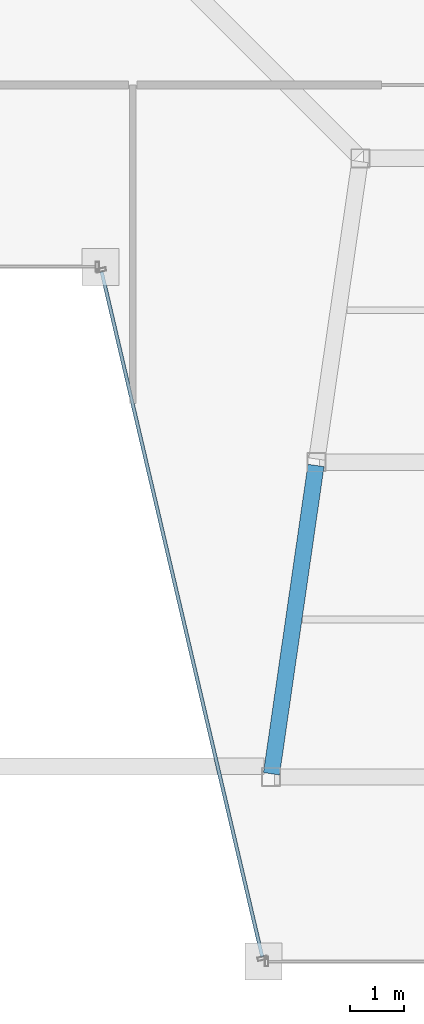
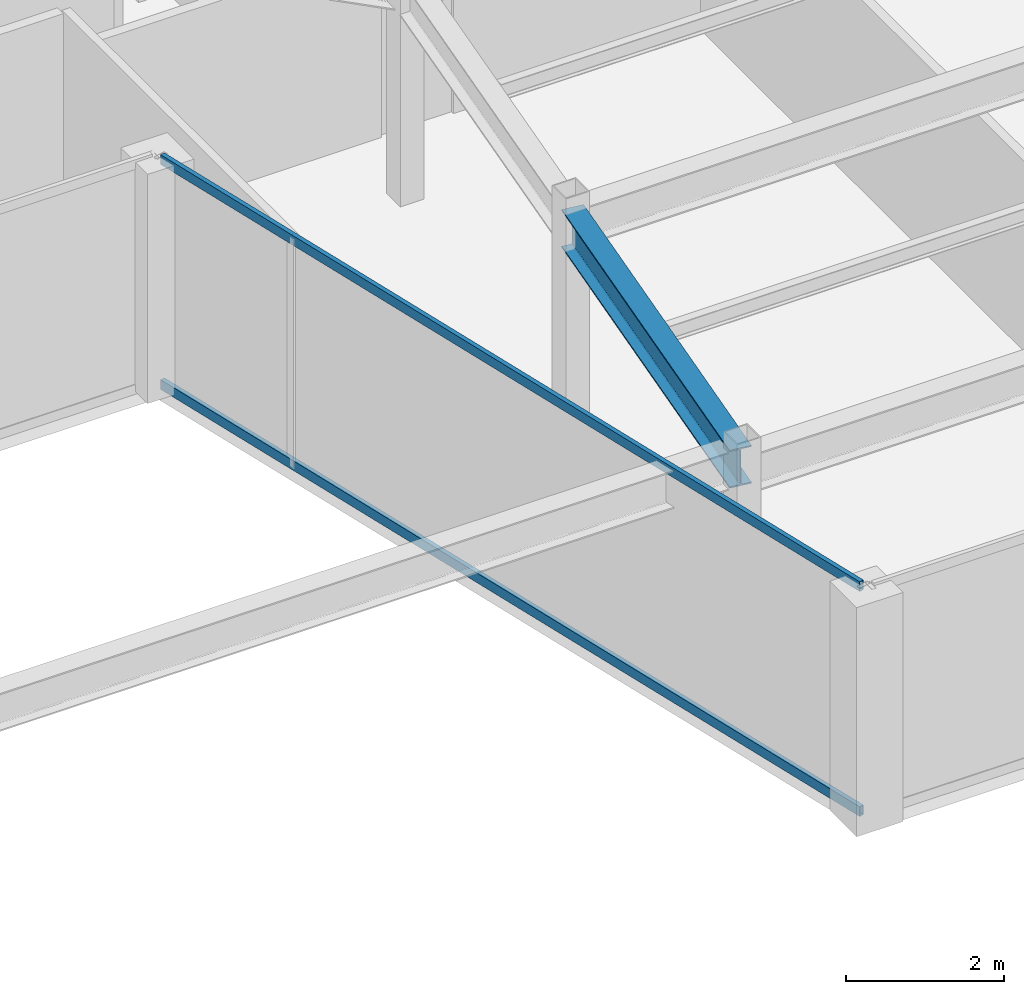
# One storey, part 13 of 32: 2 members, 1 beam, 1 element without a shape of its own.
"""IFC4 building model written with IfcOpenShell, lengths in metres."""

from ifc_helpers import new_model, si_unit, direction, frame, origin, origin_2d, place, context, subcontext, project, spatial, hollow_rectangle, i_section, extrude, material, material_profile, profile_set, type_object, element, aggregate, save


model = new_model("IFC4")

# Units and contexts
model_context = context("Model", 3, precision=1e-05, world=origin(), true_north=direction((0.0, 1.0)))
body_context = subcontext(model_context, "Body", "Model", "MODEL_VIEW")
ifc_project = project(units=[si_unit("LENGTHUNIT", "METRE"), si_unit("AREAUNIT", "SQUARE_METRE"), si_unit("VOLUMEUNIT", "CUBIC_METRE"), si_unit("PLANEANGLEUNIT", "RADIAN"), si_unit("MASSUNIT", "GRAM", prefix="KILO")], contexts=[model_context])

# Site, building, storey
site_placement = place(None, origin())
site = spatial("IfcSite", under=ifc_project, at=site_placement, CompositionType="ELEMENT")
building_placement = place(site_placement, origin())
building = spatial("IfcBuilding", under=site, at=building_placement, Name="Saevonmaru Cultural Tower", CompositionType="ELEMENT")
storey_placement = place(building_placement, frame((0.0, 0.0, 264.800048828125)))
storey = spatial("IfcBuildingStorey", under=building, at=storey_placement, Name="L62", CompositionType="ELEMENT", Elevation=264.800048828125)

# Beam
ifc_material_1 = material(Name="Steel SM355", Category="steel")
ifc_material_profile_1 = material_profile(ifc_material_1, i_section(OverallWidth=0.300048828125, OverallDepth=0.587890625, WebThickness=0.011962890625, FlangeThickness=0.02001953125, FilletRadius=0.02392578125, at=origin_2d()), Name="H-588x300x12x20")
ifc_profile_set_1 = profile_set([ifc_material_profile_1], Name="Steel SM355")
beam_type = type_object("IfcBeamType", Name="BM-G-H588", PredefinedType="BEAM", material=ifc_profile_set_1)
beam_placement = place(storey_placement, frame((39.5546875, 26.259521484375, 3.255859375), z_axis=(0.142826510921, 0.989747739466, 0.0), x_axis=(-0.989747739466, 0.142826510921, 0.0)))
element("IfcBeam", 1, at=beam_placement, inside=storey, type_object=beam_type, Name="L62 East Atrium Girder 1", PredefinedType="BEAM", context=body_context, shape_type="SweptSolid", body=[
    extrude(i_section(OverallWidth=0.300048828125, OverallDepth=0.587890625, WebThickness=0.011962890625, FlangeThickness=0.02001953125, FilletRadius=0.02392578125, at=origin_2d()), origin(), (0.0, 0.0, 1.0), 5.739990234375),
])

# Curtain wall, members
ifc_material_2 = material(Name="Satin Bronze Anodised Aluminium", Category="aluminium")
curtain_wall_type = type_object("IfcCurtainWallType", Name="CW-TYP-B", PredefinedType="NOTDEFINED", material=ifc_material_2)
curtain_wall_placement = place(storey_placement, origin())
curtain_wall = element("IfcCurtainWall", 2, at=curtain_wall_placement, inside=storey, type_object=curtain_wall_type, Name="L62 Unitised Curtain Wall E5", PredefinedType="NOTDEFINED")
ifc_material_profile_2 = material_profile(ifc_material_2, hollow_rectangle(XDim=0.06494140625, YDim=0.14990234375, WallThickness=0.00390625, at=origin_2d()), Name="ALU-TRAN-150x65x4")
ifc_profile_set_2 = profile_set([ifc_material_profile_2], Name="Satin Bronze Anodised Aluminium")
member_type = type_object("IfcMemberType", Name="TR-CW-150x65", PredefinedType="USERDEFINED", material=ifc_profile_set_2)
member_1_placement = place(storey_placement, frame((36.425537109375, 35.510009765625, 0.032470703125), z_axis=(0.228189927903, -0.973616637493, 0.0), x_axis=(0.973616637493, 0.228189927903, 0.0)))
member_1 = element("IfcMember", 3, at=member_1_placement, type_object=member_type, Name="CW-TW-L62-E5 transom 1.1", ObjectType="TRANSOM", PredefinedType="USERDEFINED", context=body_context, shape_type="SweptSolid", body=[
    extrude(hollow_rectangle(XDim=0.06494140625, YDim=0.14990234375, WallThickness=0.00390625, at=origin_2d()), origin(), (0.0, 0.0, 1.0), 12.9619140625),
])
member_2_placement = place(storey_placement, frame((36.425537109375, 35.510009765625, 3.517333984375), z_axis=(0.228189927903, -0.973616637493, 0.0), x_axis=(0.973616637493, 0.228189927903, 0.0)))
member_2 = element("IfcMember", 4, at=member_2_placement, type_object=member_type, Name="CW-TW-L62-E5 transom 1.2", ObjectType="TRANSOM", PredefinedType="USERDEFINED", context=body_context, shape_type="SweptSolid", body=[
    extrude(hollow_rectangle(XDim=0.06494140625, YDim=0.14990234375, WallThickness=0.00390625, at=origin_2d()), origin(), (0.0, 0.0, 1.0), 12.9619140625),
])
aggregate(curtain_wall, [member_1, member_2])

save(model, "model.ifc")
